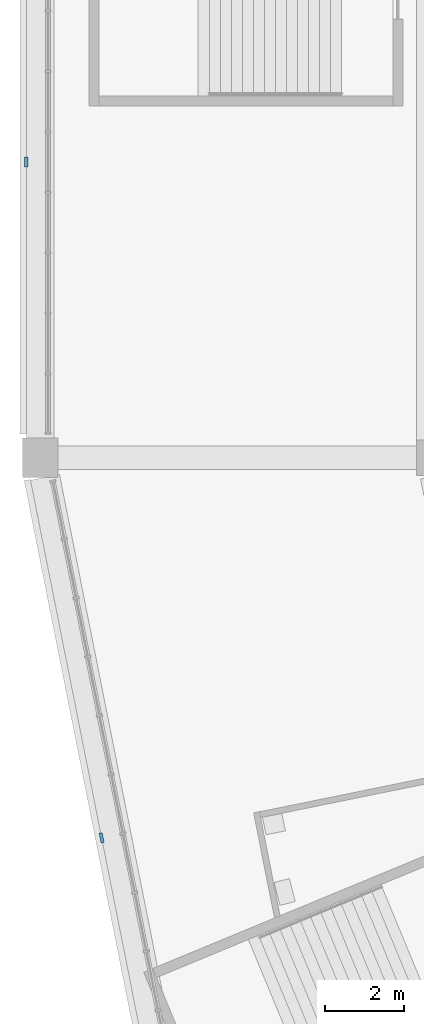
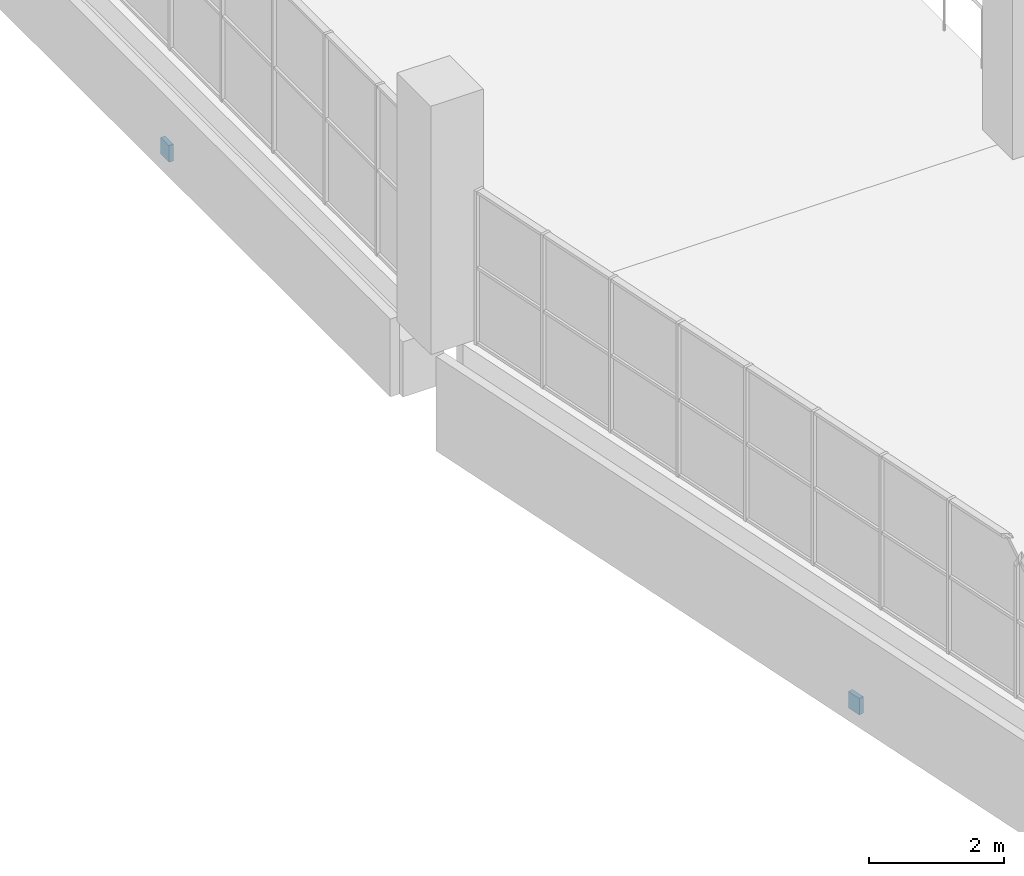
# One storey, part 71 of 177: 2 discrete accessories.
"""IFC4 building model written with IfcOpenShell, lengths in metres."""

from ifc_helpers import new_model, si_unit, direction, frame, origin, origin_2d, place, context, subcontext, project, spatial, rectangle, extrude, material, layer, layer_set, type_object, element, save


model = new_model("IFC4")

# Units and contexts
model_context = context("Model", 3, precision=1e-05, world=origin(), true_north=direction((0.0, 1.0)))
body_context = subcontext(model_context, "Body", "Model", "MODEL_VIEW")
ifc_project = project(units=[si_unit("LENGTHUNIT", "METRE"), si_unit("AREAUNIT", "SQUARE_METRE"), si_unit("VOLUMEUNIT", "CUBIC_METRE"), si_unit("PLANEANGLEUNIT", "RADIAN"), si_unit("MASSUNIT", "GRAM", prefix="KILO")], contexts=[model_context])

# Site, building, storey
site_placement = place(None, origin())
site = spatial("IfcSite", under=ifc_project, at=site_placement, CompositionType="ELEMENT")
building_placement = place(site_placement, origin())
building = spatial("IfcBuilding", under=site, at=building_placement, Name="Ogive Plaza Stadium", CompositionType="ELEMENT")
storey_placement = place(building_placement, frame((0.0, 0.0, 18.0)))
storey = spatial("IfcBuildingStorey", under=building, at=storey_placement, Name="L04", CompositionType="ELEMENT", Elevation=18.0)

# Discrete accessories
ifc_material = material(Name="Steel ASTM A572 Grade 50", Category="steel")
ifc_layer = layer(ifc_material, 0.080078125)
ifc_layer_set = layer_set([ifc_layer], Name="Steel ASTM A572 Grade 50")
discrete_accessory_type = type_object("IfcDiscreteAccessoryType", Name="Spandrel cladding bracket 250x300", PredefinedType="BRACKET", material=ifc_layer_set)
for number, where, z_axis, x_axis, name in (
    (1, (-82.440185546875, -62.135498046875, -1.60986328125), (0.0, 0.0, 1.0), (-0.195090321965, 0.980785280413, 0.0), "SPANDREL BRACKET B20 L04"),
    (2, (-84.35009765625, -45.0, -1.31005859375), (0.0, 0.0, 1.0), (0.0, 1.0, 0.0), "SPANDREL BRACKET B21 L04"),
):
    element("IfcDiscreteAccessory", number, at=place(storey_placement, frame(where, z_axis=z_axis, x_axis=x_axis)), inside=storey, type_object=discrete_accessory_type, Name=name, PredefinedType="BRACKET", context=body_context, shape_type="SweptSolid", body=[
        extrude(rectangle(XDim=0.25, YDim=0.080078125, at=origin_2d()), origin(), (0.0, 0.0, 1.0), 0.300048828125),
    ])

save(model, "model.ifc")
